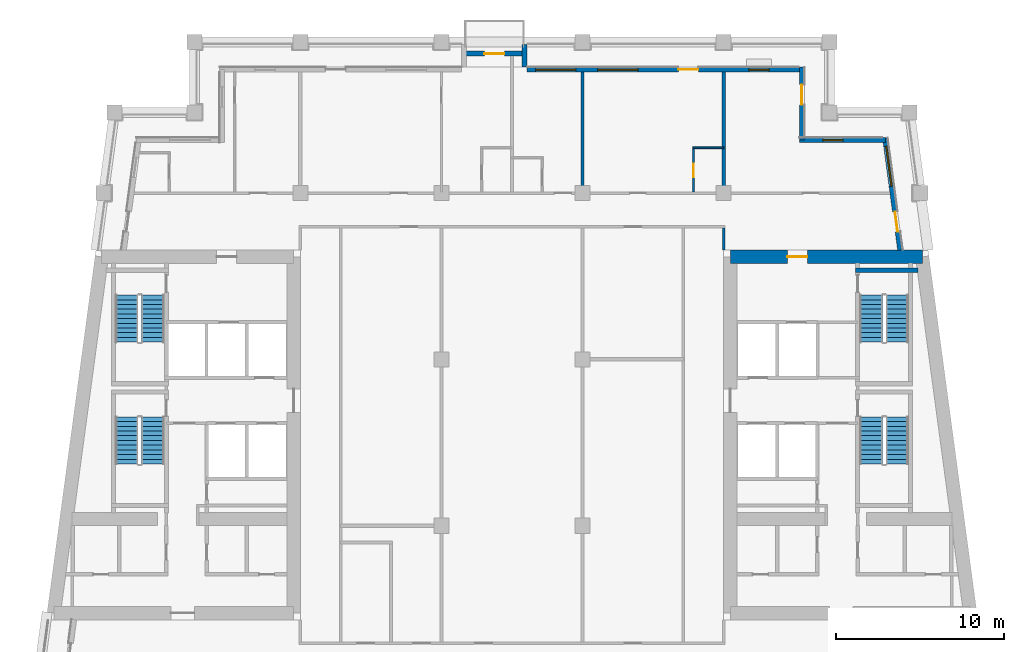
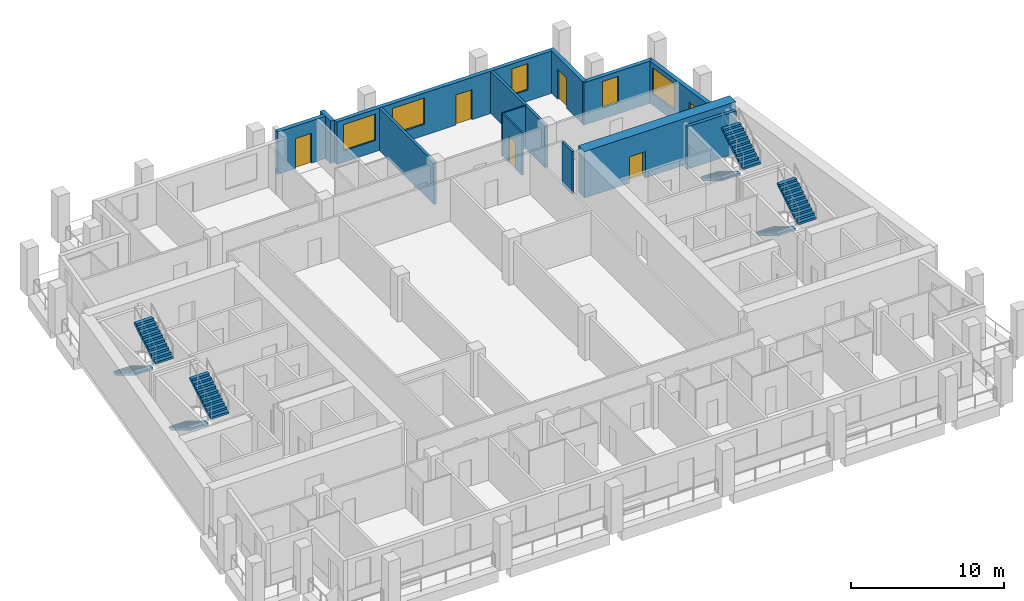
# One storey, part 7 of 12: 13 walls, 8 stair flights, 6 doors, 5 windows, 11 openings, 4 elements without a shape of their own.
"""IFC4 building model written with IfcOpenShell, lengths in metres."""

from ifc_helpers import new_model, si_unit, direction, frame, frame_2d, origin, place, context, subcontext, project, spatial, polyline, rectangle, outline, extrude, material, layer, layer_set, type_object, element, fill, aggregate, save


model = new_model("IFC4")

# Units and contexts
model_context = context("Model", 3, precision=1e-05, world=origin(), true_north=direction((0.0, 1.0)))
body_context = subcontext(model_context, "Body", "Model", "MODEL_VIEW")
ifc_project = project(units=[si_unit("LENGTHUNIT", "METRE"), si_unit("AREAUNIT", "SQUARE_METRE"), si_unit("VOLUMEUNIT", "CUBIC_METRE"), si_unit("PLANEANGLEUNIT", "RADIAN"), si_unit("MASSUNIT", "GRAM", prefix="KILO")], contexts=[model_context])

# Site, building, storey
site_placement = place(None, origin())
site = spatial("IfcSite", under=ifc_project, at=site_placement, CompositionType="ELEMENT")
building_placement = place(site_placement, origin())
building = spatial("IfcBuilding", under=site, at=building_placement, Name="Candeia Pilgrim Tower and Theatre", CompositionType="ELEMENT")
storey_placement = place(building_placement, frame((0.0, 0.0, 224.39990234375)))
storey = spatial("IfcBuildingStorey", under=building, at=storey_placement, Name="L54", CompositionType="ELEMENT", Elevation=224.39990234375)

# Wall, opening, door
ifc_material_1 = material(Name="Concrete C50/60", Category="concrete")
ifc_layer_1 = layer(ifc_material_1, 0.800048828125)
ifc_layer_set_1 = layer_set([ifc_layer_1], Name="Core wall 800 C50/60")
wall_type_1 = type_object("IfcWallType", Name="Core wall 800 C50/60", PredefinedType="SHEAR", material=ifc_layer_set_1)
wall_1_placement = place(storey_placement, frame((126.39990234375, 132.0, 0.0), z_axis=(0.0, 0.0, 1.0), x_axis=(1.0, 0.0, 0.0)))
wall_1 = element("IfcWall", 1, at=wall_1_placement, inside=storey, type_object=wall_type_1, Name="Core wall E1", PredefinedType="SHEAR", context=body_context, shape_type="SweptSolid", body=[
    extrude(rectangle(XDim=11.419677734375, YDim=0.800048828125, at=frame_2d((5.7099609375, 0.0))), origin(), (0.0, 0.0, 1.0), 3.7001953125),
])
opening_1_placement = place(wall_1_placement, frame((3.386474609375, 0.0, 0.0)))
opening_1 = element("IfcOpeningElement", 2, at=opening_1_placement, cuts=wall_1, Name="Opening L54-D058", PredefinedType="OPENING", context=body_context, shape_type="SweptSolid", body=[
    extrude(rectangle(XDim=1.199951171875, YDim=2.10009765625, at=frame_2d((0.60009765625, 1.050048828125))), frame((0.0, 0.41015625, 0.0), z_axis=(0.0, -1.0, 0.0), x_axis=(1.0, 0.0, 0.0)), (0.0, 0.0, 1.0), 0.820068359375),
])
ifc_material_2 = material(Name="Steel fire door set", Category="steel")
door_type_1 = type_object("IfcDoorType", Name="D-1200-FD60", OperationType="NOTDEFINED", PredefinedType="DOOR", material=ifc_material_2)
door_1_placement = place(opening_1_placement, origin())
door_1 = element("IfcDoor", 3, at=door_1_placement, inside=storey, type_object=door_type_1, Name="Door L54-D058", OperationType="SINGLE_SWING_RIGHT", OverallHeight=2.10009765625, OverallWidth=1.199951171875, PredefinedType="DOOR", context=body_context, shape_type="SweptSolid", body=[
    extrude(rectangle(XDim=1.199951171875, YDim=2.10009765625, at=frame_2d((0.60009765625, 1.050048828125))), frame((0.0, 0.02490234375, 0.0), z_axis=(0.0, -1.0, 0.0), x_axis=(1.0, 0.0, 0.0)), (0.0, 0.0, 1.0), 0.050048828125),
])
fill(opening_1, door_1)

# Wall, openings, door, window
ifc_material_3 = material(Name="Ceramic block masonry", Category="masonry")
ifc_layer_2 = layer(ifc_material_3, 0.300048828125)
ifc_layer_set_2 = layer_set([ifc_layer_2], Name="EW1 glazing-line wall 300")
wall_type_2 = type_object("IfcWallType", Name="EW1 glazing-line wall 300", PredefinedType="SOLIDWALL", material=ifc_layer_set_2)
wall_2_placement = place(storey_placement, frame((136.50439453125, 132.39990234375, 0.0), z_axis=(0.0, 0.0, 1.0), x_axis=(-0.133399697462, 0.99106231929, 0.0)))
wall_2 = element("IfcWall", 4, at=wall_2_placement, inside=storey, type_object=wall_type_2, Name="External wall L54-3.1", PredefinedType="SOLIDWALL", context=body_context, shape_type="SweptSolid", body=[
    extrude(rectangle(XDim=6.740478515625, YDim=0.300048828125, at=frame_2d((3.3701171875, 0.0))), origin(), (0.0, 0.0, 1.0), 3.380126953125),
])
opening_2_placement = place(wall_2_placement, frame((1.115234375, 0.0, 0.0)))
opening_2 = element("IfcOpeningElement", 5, at=opening_2_placement, cuts=wall_2, Name="Opening L54-ED517", PredefinedType="OPENING", context=body_context, shape_type="SweptSolid", body=[
    extrude(rectangle(XDim=1.199951171875, YDim=2.39990234375, at=frame_2d((0.60009765625, 1.199951171875))), frame((0.0, 0.16015625, 0.0), z_axis=(0.0, -1.0, 0.0), x_axis=(1.0, 0.0, 0.0)), (0.0, 0.0, 1.0), 0.320068359375),
])
opening_3_placement = place(wall_2_placement, frame((3.83544921875, 0.0, 0.89990234375)))
opening_3 = element("IfcOpeningElement", 6, at=opening_3_placement, cuts=wall_2, Name="Opening W-A", PredefinedType="OPENING", context=body_context, shape_type="SweptSolid", body=[
    extrude(rectangle(XDim=2.39990234375, YDim=2.10009765625, at=frame_2d((1.199951171875, 1.050048828125))), frame((0.0, 0.16015625, 0.0), z_axis=(0.0, -1.0, 0.0), x_axis=(1.0, 0.0, 0.0)), (0.0, 0.0, 1.0), 0.320068359375),
])
ifc_material_4 = material(Name="Aluminium framed glazed door", Category="aluminium")
door_type_2 = type_object("IfcDoorType", Name="Loggia door 1200x2400", OperationType="DOUBLE_DOOR_SINGLE_SWING", PredefinedType="DOOR", material=ifc_material_4)
door_2_placement = place(opening_2_placement, origin())
door_2 = element("IfcDoor", 7, at=door_2_placement, inside=storey, type_object=door_type_2, Name="Loggia door L54-ED517", OperationType="DOUBLE_DOOR_SINGLE_SWING", OverallHeight=2.39990234375, OverallWidth=1.199951171875, PredefinedType="DOOR", context=body_context, shape_type="SweptSolid", body=[
    extrude(rectangle(XDim=1.199951171875, YDim=2.39990234375, at=frame_2d((0.60009765625, 1.199951171875))), frame((0.0, 0.02490234375, 0.0), z_axis=(0.0, -1.0, 0.0), x_axis=(1.0, 0.0, 0.0)), (0.0, 0.0, 1.0), 0.050048828125),
])
fill(opening_2, door_2)
ifc_material_5 = material(Name="Aluminium framed double glazing", Category="aluminium")
window_type_1 = type_object("IfcWindowType", Name="W-A window 2400x2100", PartitioningType="DOUBLE_PANEL_VERTICAL", PredefinedType="WINDOW", material=ifc_material_5)
window_1_placement = place(opening_3_placement, origin())
window_1 = element("IfcWindow", 8, at=window_1_placement, inside=storey, type_object=window_type_1, Name="Window W-A L54", OverallHeight=2.10009765625, OverallWidth=2.39990234375, PartitioningType="SINGLE_PANEL", PredefinedType="WINDOW", context=body_context, shape_type="SweptSolid", body=[
    extrude(rectangle(XDim=2.39990234375, YDim=2.10009765625, at=frame_2d((1.199951171875, 1.050048828125))), frame((0.0, 0.030029296875, 0.0), z_axis=(0.0, -1.0, 0.0), x_axis=(1.0, 0.0, 0.0)), (0.0, 0.0, 1.0), 0.06005859375),
])
fill(opening_3, window_1)

# Wall, opening, window
wall_3_placement = place(storey_placement, frame((135.62255859375, 138.949951171875, 0.0), z_axis=(0.0, 0.0, 1.0), x_axis=(-1.0, 0.0, 0.0)))
wall_3 = element("IfcWall", 9, at=wall_3_placement, inside=storey, type_object=wall_type_2, Name="External wall L54-4.0", PredefinedType="SOLIDWALL", context=body_context, shape_type="SweptSolid", body=[
    extrude(rectangle(XDim=5.12255859375, YDim=0.300048828125, at=frame_2d((2.561279296875, 0.0))), origin(), (0.0, 0.0, 1.0), 3.380126953125),
])
opening_4_placement = place(wall_3_placement, frame((2.522705078125, 0.0, 0.89990234375)))
opening_4 = element("IfcOpeningElement", 10, at=opening_4_placement, cuts=wall_3, Name="Opening W-B", PredefinedType="OPENING", context=body_context, shape_type="SweptSolid", body=[
    extrude(rectangle(XDim=1.199951171875, YDim=2.10009765625, at=frame_2d((0.60009765625, 1.050048828125))), frame((0.0, 0.16015625, 0.0), z_axis=(0.0, -1.0, 0.0), x_axis=(1.0, 0.0, 0.0)), (0.0, 0.0, 1.0), 0.320068359375),
])
window_type_2 = type_object("IfcWindowType", Name="W-B window 1200x2100", PartitioningType="SINGLE_PANEL", PredefinedType="WINDOW", material=ifc_material_5)
window_2_placement = place(opening_4_placement, origin())
window_2 = element("IfcWindow", 11, at=window_2_placement, inside=storey, type_object=window_type_2, Name="Window W-B L54", OverallHeight=2.10009765625, OverallWidth=1.199951171875, PartitioningType="SINGLE_PANEL", PredefinedType="WINDOW", context=body_context, shape_type="SweptSolid", body=[
    extrude(rectangle(XDim=1.199951171875, YDim=2.10009765625, at=frame_2d((0.60009765625, 1.050048828125))), frame((0.0, 0.030029296875, 0.0), z_axis=(0.0, -1.0, 0.0), x_axis=(1.0, 0.0, 0.0)), (0.0, 0.0, 1.0), 0.06005859375),
])
fill(opening_4, window_2)

# Wall, opening, door
wall_4_placement = place(storey_placement, frame((130.64990234375, 138.949951171875, 0.0), z_axis=(0.0, 0.0, 1.0), x_axis=(0.0, 1.0, 0.0)))
wall_4 = element("IfcWall", 12, at=wall_4_placement, inside=storey, type_object=wall_type_2, Name="External wall L54-5.0", PredefinedType="SOLIDWALL", context=body_context, shape_type="SweptSolid", body=[
    extrude(rectangle(XDim=4.35009765625, YDim=0.300048828125, at=frame_2d((2.175048828125, 0.0))), origin(), (0.0, 0.0, 1.0), 3.380126953125),
])
opening_5_placement = place(wall_4_placement, frame((2.10009765625, 0.0, 0.0)))
opening_5 = element("IfcOpeningElement", 13, at=opening_5_placement, cuts=wall_4, Name="Opening L54-ED518", PredefinedType="OPENING", context=body_context, shape_type="SweptSolid", body=[
    extrude(rectangle(XDim=1.199951171875, YDim=2.39990234375, at=frame_2d((0.60009765625, 1.199951171875))), frame((0.0, 0.16015625, 0.0), z_axis=(0.0, -1.0, 0.0), x_axis=(1.0, 0.0, 0.0)), (0.0, 0.0, 1.0), 0.320068359375),
])
door_3_placement = place(opening_5_placement, origin())
door_3 = element("IfcDoor", 14, at=door_3_placement, inside=storey, type_object=door_type_2, Name="Loggia door L54-ED518", OperationType="DOUBLE_DOOR_SINGLE_SWING", OverallHeight=2.39990234375, OverallWidth=1.199951171875, PredefinedType="DOOR", context=body_context, shape_type="SweptSolid", body=[
    extrude(rectangle(XDim=1.199951171875, YDim=2.39990234375, at=frame_2d((0.60009765625, 1.199951171875))), frame((0.0, 0.02490234375, 0.0), z_axis=(0.0, -1.0, 0.0), x_axis=(1.0, 0.0, 0.0)), (0.0, 0.0, 1.0), 0.050048828125),
])
fill(opening_5, door_3)

# Wall, openings, door, windows
wall_5_placement = place(storey_placement, frame((130.64990234375, 143.14990234375, 0.0), z_axis=(0.0, 0.0, 1.0), x_axis=(-1.0, 0.0, 0.0)))
wall_5 = element("IfcWall", 15, at=wall_5_placement, inside=storey, type_object=wall_type_2, Name="External wall L54-6.0", PredefinedType="SOLIDWALL", context=body_context, shape_type="SweptSolid", body=[
    extrude(rectangle(XDim=16.349853515625, YDim=0.300048828125, at=frame_2d((8.1748046875, 0.0))), origin(), (0.0, 0.0, 1.0), 3.380126953125),
])
opening_6_placement = place(wall_5_placement, frame((1.949951171875, 0.0, 0.89990234375)))
opening_6 = element("IfcOpeningElement", 16, at=opening_6_placement, cuts=wall_5, Name="Opening W-B", PredefinedType="OPENING", context=body_context, shape_type="SweptSolid", body=[
    extrude(rectangle(XDim=1.199951171875, YDim=2.10009765625, at=frame_2d((0.60009765625, 1.050048828125))), frame((0.0, 0.16015625, 0.0), z_axis=(0.0, -1.0, 0.0), x_axis=(1.0, 0.0, 0.0)), (0.0, 0.0, 1.0), 0.320068359375),
])
opening_7_placement = place(wall_5_placement, frame((6.14990234375, 0.0, 0.0)))
opening_7 = element("IfcOpeningElement", 17, at=opening_7_placement, cuts=wall_5, Name="Opening L54-ED519", PredefinedType="OPENING", context=body_context, shape_type="SweptSolid", body=[
    extrude(rectangle(XDim=1.199951171875, YDim=2.39990234375, at=frame_2d((0.60009765625, 1.199951171875))), frame((0.0, 0.16015625, 0.0), z_axis=(0.0, -1.0, 0.0), x_axis=(1.0, 0.0, 0.0)), (0.0, 0.0, 1.0), 0.320068359375),
])
opening_8_placement = place(wall_5_placement, frame((9.75, 0.0, 0.89990234375)))
opening_8 = element("IfcOpeningElement", 18, at=opening_8_placement, cuts=wall_5, Name="Opening W-A", PredefinedType="OPENING", context=body_context, shape_type="SweptSolid", body=[
    extrude(rectangle(XDim=2.39990234375, YDim=2.10009765625, at=frame_2d((1.199951171875, 1.050048828125))), frame((0.0, 0.16015625, 0.0), z_axis=(0.0, -1.0, 0.0), x_axis=(1.0, 0.0, 0.0)), (0.0, 0.0, 1.0), 0.320068359375),
])
opening_9_placement = place(wall_5_placement, frame((13.449951171875, 0.0, 0.89990234375)))
opening_9 = element("IfcOpeningElement", 19, at=opening_9_placement, cuts=wall_5, Name="Opening W-A", PredefinedType="OPENING", context=body_context, shape_type="SweptSolid", body=[
    extrude(rectangle(XDim=2.39990234375, YDim=2.10009765625, at=frame_2d((1.199951171875, 1.050048828125))), frame((0.0, 0.16015625, 0.0), z_axis=(0.0, -1.0, 0.0), x_axis=(1.0, 0.0, 0.0)), (0.0, 0.0, 1.0), 0.320068359375),
])
door_4_placement = place(opening_7_placement, origin())
door_4 = element("IfcDoor", 20, at=door_4_placement, inside=storey, type_object=door_type_2, Name="Loggia door L54-ED519", OperationType="DOUBLE_DOOR_SINGLE_SWING", OverallHeight=2.39990234375, OverallWidth=1.199951171875, PredefinedType="DOOR", context=body_context, shape_type="SweptSolid", body=[
    extrude(rectangle(XDim=1.199951171875, YDim=2.39990234375, at=frame_2d((0.60009765625, 1.199951171875))), frame((0.0, 0.02490234375, 0.0), z_axis=(0.0, -1.0, 0.0), x_axis=(1.0, 0.0, 0.0)), (0.0, 0.0, 1.0), 0.050048828125),
])
fill(opening_7, door_4)
window_3_placement = place(opening_8_placement, origin())
window_3 = element("IfcWindow", 21, at=window_3_placement, inside=storey, type_object=window_type_1, Name="Window W-A L54", OverallHeight=2.10009765625, OverallWidth=2.39990234375, PartitioningType="SINGLE_PANEL", PredefinedType="WINDOW", context=body_context, shape_type="SweptSolid", body=[
    extrude(rectangle(XDim=2.39990234375, YDim=2.10009765625, at=frame_2d((1.199951171875, 1.050048828125))), frame((0.0, 0.030029296875, 0.0), z_axis=(0.0, -1.0, 0.0), x_axis=(1.0, 0.0, 0.0)), (0.0, 0.0, 1.0), 0.06005859375),
])
fill(opening_8, window_3)
window_4_placement = place(opening_9_placement, origin())
window_4 = element("IfcWindow", 22, at=window_4_placement, inside=storey, type_object=window_type_1, Name="Window W-A L54", OverallHeight=2.10009765625, OverallWidth=2.39990234375, PartitioningType="SINGLE_PANEL", PredefinedType="WINDOW", context=body_context, shape_type="SweptSolid", body=[
    extrude(rectangle(XDim=2.39990234375, YDim=2.10009765625, at=frame_2d((1.199951171875, 1.050048828125))), frame((0.0, 0.030029296875, 0.0), z_axis=(0.0, -1.0, 0.0), x_axis=(1.0, 0.0, 0.0)), (0.0, 0.0, 1.0), 0.06005859375),
])
fill(opening_9, window_4)
window_5_placement = place(opening_6_placement, origin())
window_5 = element("IfcWindow", 23, at=window_5_placement, inside=storey, type_object=window_type_2, Name="Window W-B L54", OverallHeight=2.10009765625, OverallWidth=1.199951171875, PartitioningType="SINGLE_PANEL", PredefinedType="WINDOW", context=body_context, shape_type="SweptSolid", body=[
    extrude(rectangle(XDim=1.199951171875, YDim=2.10009765625, at=frame_2d((0.60009765625, 1.050048828125))), frame((0.0, 0.030029296875, 0.0), z_axis=(0.0, -1.0, 0.0), x_axis=(1.0, 0.0, 0.0)), (0.0, 0.0, 1.0), 0.06005859375),
])
fill(opening_6, window_5)

# Wall
ifc_layer_3 = layer(ifc_material_3, 0.300048828125)
ifc_layer_set_3 = layer_set([ifc_layer_3], Name="EW2 entrance infill wall 300")
wall_type_3 = type_object("IfcWallType", Name="EW2 entrance infill wall 300", PredefinedType="SOLIDWALL", material=ifc_layer_set_3)
wall_6_placement = place(storey_placement, frame((114.14990234375, 143.300048828125, 0.0), z_axis=(0.0, 0.0, 1.0), x_axis=(0.0, 1.0, 0.0)))
element("IfcWall", 24, at=wall_6_placement, inside=storey, type_object=wall_type_3, Name="Alcove wall L54", PredefinedType="SOLIDWALL", context=body_context, shape_type="SweptSolid", body=[
    extrude(rectangle(XDim=1.349853515625, YDim=0.300048828125, at=frame_2d((0.6748046875, 0.0))), origin(), (0.0, 0.0, 1.0), 3.380126953125),
])

# Wall, opening, door
wall_7_placement = place(storey_placement, frame((114.300048828125, 144.10009765625, 0.0), z_axis=(0.0, 0.0, 1.0), x_axis=(-1.0, 0.0, 0.0)))
wall_7 = element("IfcWall", 25, at=wall_7_placement, inside=storey, type_object=wall_type_3, Name="Alcove wall L54", PredefinedType="SOLIDWALL", context=body_context, shape_type="SweptSolid", body=[
    extrude(rectangle(XDim=3.900146484375, YDim=0.300048828125, at=frame_2d((1.9501953125, 0.0))), origin(), (0.0, 0.0, 1.0), 3.380126953125),
])
opening_10_placement = place(wall_7_placement, frame((1.35009765625, 0.0, 0.0)))
opening_10 = element("IfcOpeningElement", 26, at=opening_10_placement, cuts=wall_7, Name="Opening L54-ED521", PredefinedType="OPENING", context=body_context, shape_type="SweptSolid", body=[
    extrude(rectangle(XDim=1.199951171875, YDim=2.39990234375, at=frame_2d((0.60009765625, 1.199951171875))), frame((0.0, 0.16015625, 0.0), z_axis=(0.0, -1.0, 0.0), x_axis=(1.0, 0.0, 0.0)), (0.0, 0.0, 1.0), 0.320068359375),
])
door_5_placement = place(opening_10_placement, origin())
door_5 = element("IfcDoor", 27, at=door_5_placement, inside=storey, type_object=door_type_2, Name="Balcony door L54-ED521", OperationType="DOUBLE_DOOR_SINGLE_SWING", OverallHeight=2.39990234375, OverallWidth=1.199951171875, PredefinedType="DOOR", context=body_context, shape_type="SweptSolid", body=[
    extrude(rectangle(XDim=1.199951171875, YDim=2.39990234375, at=frame_2d((0.60009765625, 1.199951171875))), frame((0.0, 0.02490234375, 0.0), z_axis=(0.0, -1.0, 0.0), x_axis=(1.0, 0.0, 0.0)), (0.0, 0.0, 1.0), 0.050048828125),
])
fill(opening_10, door_5)

# Wall
ifc_material_6 = material(Name="Gypsum board partition on steel studs", Category="steel")
ifc_layer_4 = layer(ifc_material_6, 0.10009765625)
ifc_layer_set_4 = layer_set([ifc_layer_4], Name="PW-100 room partition")
wall_type_4 = type_object("IfcWallType", Name="PW-100 room partition", PredefinedType="PARTITIONING", material=ifc_layer_set_4)
wall_8_placement = place(storey_placement, frame((124.14990234375, 138.5, 0.0), z_axis=(0.0, 0.0, 1.0), x_axis=(1.0, 0.0, 0.0)))
element("IfcWall", 28, at=wall_8_placement, inside=storey, type_object=wall_type_4, Name="Room partition L54-048", PredefinedType="PARTITIONING", context=body_context, shape_type="SweptSolid", body=[
    extrude(rectangle(XDim=1.85009765625, YDim=0.10009765625, at=frame_2d((0.925048828125, 0.0))), origin(), (0.0, 0.0, 1.0), 3.380126953125),
])

# Wall, opening, door
wall_9_placement = place(storey_placement, frame((124.199951171875, 135.875, 0.0), z_axis=(0.0, 0.0, 1.0), x_axis=(0.0, 1.0, 0.0)))
wall_9 = element("IfcWall", 29, at=wall_9_placement, inside=storey, type_object=wall_type_4, Name="Room partition L54-094", PredefinedType="PARTITIONING", context=body_context, shape_type="SweptSolid", body=[
    extrude(rectangle(XDim=2.574951171875, YDim=0.10009765625, at=frame_2d((1.28759765625, 0.0))), origin(), (0.0, 0.0, 1.0), 3.380126953125),
])
opening_11_placement = place(wall_9_placement, frame((0.875, 0.0, 0.0)))
opening_11 = element("IfcOpeningElement", 30, at=opening_11_placement, cuts=wall_9, Name="Opening L54-D046", PredefinedType="OPENING", context=body_context, shape_type="SweptSolid", body=[
    extrude(rectangle(XDim=0.800048828125, YDim=2.10009765625, at=frame_2d((0.39990234375, 1.050048828125))), frame((0.0, 0.06005859375, 0.0), z_axis=(0.0, -1.0, 0.0), x_axis=(1.0, 0.0, 0.0)), (0.0, 0.0, 1.0), 0.1201171875),
])
ifc_material_7 = material(Name="Timber door leaf", Category="wood")
door_type_3 = type_object("IfcDoorType", Name="D-800", OperationType="NOTDEFINED", PredefinedType="DOOR", material=ifc_material_7)
door_6_placement = place(opening_11_placement, origin())
door_6 = element("IfcDoor", 31, at=door_6_placement, inside=storey, type_object=door_type_3, Name="Door L54-D046", OperationType="SINGLE_SWING_RIGHT", OverallHeight=2.10009765625, OverallWidth=0.800048828125, PredefinedType="DOOR", context=body_context, shape_type="SweptSolid", body=[
    extrude(rectangle(XDim=0.800048828125, YDim=2.10009765625, at=frame_2d((0.39990234375, 1.050048828125))), frame((0.0, 0.02490234375, 0.0), z_axis=(0.0, -1.0, 0.0), x_axis=(1.0, 0.0, 0.0)), (0.0, 0.0, 1.0), 0.050048828125),
])
fill(opening_11, door_6)

# Walls
ifc_layer_5 = layer(ifc_material_6, 0.14990234375)
ifc_layer_set_5 = layer_set([ifc_layer_5], Name="PW-150 unit wall")
wall_type_5 = type_object("IfcWallType", Name="PW-150 unit wall", PredefinedType="PARTITIONING", material=ifc_layer_set_5)
wall_10_placement = place(storey_placement, frame((126.0, 132.39990234375, 0.0), z_axis=(0.0, 0.0, 1.0), x_axis=(0.0, 1.0, 0.0)))
element("IfcWall", 32, at=wall_10_placement, inside=storey, type_object=wall_type_5, Name="Unit wall L54-098", PredefinedType="PARTITIONING", context=body_context, shape_type="SweptSolid", body=[
    extrude(rectangle(XDim=1.3251953125, YDim=0.14990234375, at=frame_2d((0.66259765625, 0.0))), origin(), (0.0, 0.0, 1.0), 3.380126953125),
])
ifc_layer_6 = layer(ifc_material_6, 0.199951171875)
ifc_layer_set_6 = layer_set([ifc_layer_6], Name="PW-200 party wall")
wall_type_6 = type_object("IfcWallType", Name="PW-200 party wall", PredefinedType="PARTITIONING", material=ifc_layer_set_6)
for number, where, z_axis, x_axis, name in (
    (33, (117.60009765625, 135.875, 0.0), (0.0, 0.0, 1.0), (0.0, 1.0, 0.0), "Party wall L54-089"),
    (34, (126.0, 135.875, 0.0), (0.0, 0.0, 1.0), (0.0, 1.0, 0.0), "Party wall L54-096"),
):
    element("IfcWall", number, at=place(storey_placement, frame(where, z_axis=z_axis, x_axis=x_axis)), inside=storey, type_object=wall_type_6, Name=name, PredefinedType="PARTITIONING", context=body_context, shape_type="SweptSolid", body=[
        extrude(rectangle(XDim=7.135009765625, YDim=0.199951171875, at=frame_2d((3.5673828125, 0.0))), origin(), (0.0, 0.0, 1.0), 3.380126953125),
    ])
ifc_material_8 = material(Name="Concrete C40/50", Category="concrete")
ifc_layer_7 = layer(ifc_material_8, 0.25)
ifc_layer_set_7 = layer_set([ifc_layer_7], Name="SW-250 stair wall")
wall_type_7 = type_object("IfcWallType", Name="SW-250 stair wall", PredefinedType="PARTITIONING", material=ifc_layer_set_7)
wall_11_placement = place(storey_placement, frame((133.847900390625, 131.199951171875, 0.0), z_axis=(0.0, 0.0, 1.0), x_axis=(1.0, 0.0, 0.0)))
element("IfcWall", 35, at=wall_11_placement, inside=storey, type_object=wall_type_7, Name="Stair wall L54-042", PredefinedType="PARTITIONING", context=body_context, shape_type="SweptSolid", body=[
    extrude(rectangle(XDim=3.705810546875, YDim=0.25, at=frame_2d((1.85302734375, 0.0))), origin(), (0.0, 0.0, 1.0), 3.380126953125),
])

# Stair, stair flights
stair_type = type_object("IfcStairType", Name="ST-TWR dog-leg escape stair", PredefinedType="HALF_TURN_STAIR", material=ifc_material_8)
stair_1_placement = place(storey_placement, origin())
stair_1 = element("IfcStair", 36, at=stair_1_placement, inside=storey, type_object=stair_type, Name="L54 Escape stair ST1", PredefinedType="HALF_TURN_STAIR")
stair_flight_type = type_object("IfcStairFlightType", Name="SFL-RC stair flight", PredefinedType="STRAIGHT", material=ifc_material_8)
stair_flight_1_placement = place(storey_placement, frame((90.47705078125, 122.47509765625, 0.0), z_axis=(0.0, 0.0, 1.0), x_axis=(0.0, -1.0, 0.0)))
stair_flight_1 = element("IfcStairFlight", 37, at=stair_flight_1_placement, type_object=stair_flight_type, Name="ST1 flight 1", NumberOfRisers=11, NumberOfTreads=10, PredefinedType="STRAIGHT", RiserHeight=0.168181818, TreadLength=0.28, context=body_context, shape_type="SweptSolid", body=[
    extrude(outline(polyline([(0.0, 0.0), (0.0, 0.168212890625), (0.280029296875, 0.168212890625), (0.280029296875, 0.33642578125), (0.56005859375, 0.33642578125), (0.56005859375, 0.504638671875), (0.840087890625, 0.504638671875), (0.840087890625, 0.672607421875), (1.1201171875, 0.672607421875), (1.1201171875, 0.8408203125), (1.39990234375, 0.8408203125), (1.39990234375, 1.009033203125), (1.679931640625, 1.009033203125), (1.679931640625, 1.17724609375), (1.9599609375, 1.17724609375), (1.9599609375, 1.345458984375), (2.239990234375, 1.345458984375), (2.239990234375, 1.513671875), (2.52001953125, 1.513671875), (2.52001953125, 1.681884765625), (2.800048828125, 1.681884765625), (2.800048828125, 1.85009765625), (2.800048828125, 1.5068359375), (0.291015625, 0.0), (0.0, 0.0)])), frame((0.0, 0.675048828125, 0.0), z_axis=(0.0, -1.0, 0.0), x_axis=(1.0, 0.0, 0.0)), (0.0, 0.0, 1.0), 1.35009765625),
])
stair_flight_2_placement = place(storey_placement, frame((92.027099609375, 119.675048828125, 1.85009765625), z_axis=(0.0, 0.0, 1.0), x_axis=(0.0, 1.0, 0.0)))
stair_flight_2 = element("IfcStairFlight", 38, at=stair_flight_2_placement, type_object=stair_flight_type, Name="ST1 flight 2", NumberOfRisers=11, NumberOfTreads=10, PredefinedType="STRAIGHT", RiserHeight=0.168181818, TreadLength=0.28, context=body_context, shape_type="SweptSolid", body=[
    extrude(outline(polyline([(0.0, 0.0), (0.0, 0.168212890625), (0.280029296875, 0.168212890625), (0.280029296875, 0.33642578125), (0.56005859375, 0.33642578125), (0.56005859375, 0.504638671875), (0.840087890625, 0.504638671875), (0.840087890625, 0.672607421875), (1.1201171875, 0.672607421875), (1.1201171875, 0.8408203125), (1.39990234375, 0.8408203125), (1.39990234375, 1.009033203125), (1.679931640625, 1.009033203125), (1.679931640625, 1.17724609375), (1.9599609375, 1.17724609375), (1.9599609375, 1.345458984375), (2.239990234375, 1.345458984375), (2.239990234375, 1.513671875), (2.52001953125, 1.513671875), (2.52001953125, 1.681884765625), (2.800048828125, 1.681884765625), (2.800048828125, 1.85009765625), (2.800048828125, 1.5068359375), (0.291015625, 0.0), (0.0, 0.0)])), frame((0.0, 0.675048828125, 0.0), z_axis=(0.0, -1.0, 0.0), x_axis=(1.0, 0.0, 0.0)), (0.0, 0.0, 1.0), 1.35009765625),
])
aggregate(stair_1, [stair_flight_1, stair_flight_2])

stair_2_placement = place(storey_placement, origin())
stair_2 = element("IfcStair", 39, at=stair_2_placement, inside=storey, type_object=stair_type, Name="L54 Escape stair ST2", PredefinedType="HALF_TURN_STAIR")
stair_flight_3_placement = place(storey_placement, frame((90.47705078125, 129.72509765625, 0.0), z_axis=(0.0, 0.0, 1.0), x_axis=(0.0, -1.0, 0.0)))
stair_flight_3 = element("IfcStairFlight", 40, at=stair_flight_3_placement, type_object=stair_flight_type, Name="ST2 flight 1", NumberOfRisers=11, NumberOfTreads=10, PredefinedType="STRAIGHT", RiserHeight=0.168181818, TreadLength=0.28, context=body_context, shape_type="SweptSolid", body=[
    extrude(outline(polyline([(0.0, 0.0), (0.0, 0.168212890625), (0.280029296875, 0.168212890625), (0.280029296875, 0.33642578125), (0.56005859375, 0.33642578125), (0.56005859375, 0.504638671875), (0.840087890625, 0.504638671875), (0.840087890625, 0.672607421875), (1.1201171875, 0.672607421875), (1.1201171875, 0.8408203125), (1.39990234375, 0.8408203125), (1.39990234375, 1.009033203125), (1.679931640625, 1.009033203125), (1.679931640625, 1.17724609375), (1.9599609375, 1.17724609375), (1.9599609375, 1.345458984375), (2.239990234375, 1.345458984375), (2.239990234375, 1.513671875), (2.52001953125, 1.513671875), (2.52001953125, 1.681884765625), (2.800048828125, 1.681884765625), (2.800048828125, 1.85009765625), (2.800048828125, 1.5068359375), (0.291015625, 0.0), (0.0, 0.0)])), frame((0.0, 0.675048828125, 0.0), z_axis=(0.0, -1.0, 0.0), x_axis=(1.0, 0.0, 0.0)), (0.0, 0.0, 1.0), 1.35009765625),
])
stair_flight_4_placement = place(storey_placement, frame((92.027099609375, 126.925048828125, 1.85009765625), z_axis=(0.0, 0.0, 1.0), x_axis=(0.0, 1.0, 0.0)))
stair_flight_4 = element("IfcStairFlight", 41, at=stair_flight_4_placement, type_object=stair_flight_type, Name="ST2 flight 2", NumberOfRisers=11, NumberOfTreads=10, PredefinedType="STRAIGHT", RiserHeight=0.168181818, TreadLength=0.28, context=body_context, shape_type="SweptSolid", body=[
    extrude(outline(polyline([(0.0, 0.0), (0.0, 0.168212890625), (0.280029296875, 0.168212890625), (0.280029296875, 0.33642578125), (0.56005859375, 0.33642578125), (0.56005859375, 0.504638671875), (0.840087890625, 0.504638671875), (0.840087890625, 0.672607421875), (1.1201171875, 0.672607421875), (1.1201171875, 0.8408203125), (1.39990234375, 0.8408203125), (1.39990234375, 1.009033203125), (1.679931640625, 1.009033203125), (1.679931640625, 1.17724609375), (1.9599609375, 1.17724609375), (1.9599609375, 1.345458984375), (2.239990234375, 1.345458984375), (2.239990234375, 1.513671875), (2.52001953125, 1.513671875), (2.52001953125, 1.681884765625), (2.800048828125, 1.681884765625), (2.800048828125, 1.85009765625), (2.800048828125, 1.5068359375), (0.291015625, 0.0), (0.0, 0.0)])), frame((0.0, 0.675048828125, 0.0), z_axis=(0.0, -1.0, 0.0), x_axis=(1.0, 0.0, 0.0)), (0.0, 0.0, 1.0), 1.35009765625),
])
aggregate(stair_2, [stair_flight_3, stair_flight_4])

stair_3_placement = place(storey_placement, origin())
stair_3 = element("IfcStair", 42, at=stair_3_placement, inside=storey, type_object=stair_type, Name="L54 Escape stair ST3", PredefinedType="HALF_TURN_STAIR")
stair_flight_5_placement = place(storey_placement, frame((134.77294921875, 122.47509765625, 0.0), z_axis=(0.0, 0.0, 1.0), x_axis=(0.0, -1.0, 0.0)))
stair_flight_5 = element("IfcStairFlight", 43, at=stair_flight_5_placement, type_object=stair_flight_type, Name="ST3 flight 1", NumberOfRisers=11, NumberOfTreads=10, PredefinedType="STRAIGHT", RiserHeight=0.168181818, TreadLength=0.28, context=body_context, shape_type="SweptSolid", body=[
    extrude(outline(polyline([(0.0, 0.0), (0.0, 0.168212890625), (0.280029296875, 0.168212890625), (0.280029296875, 0.33642578125), (0.56005859375, 0.33642578125), (0.56005859375, 0.504638671875), (0.840087890625, 0.504638671875), (0.840087890625, 0.672607421875), (1.1201171875, 0.672607421875), (1.1201171875, 0.8408203125), (1.39990234375, 0.8408203125), (1.39990234375, 1.009033203125), (1.679931640625, 1.009033203125), (1.679931640625, 1.17724609375), (1.9599609375, 1.17724609375), (1.9599609375, 1.345458984375), (2.239990234375, 1.345458984375), (2.239990234375, 1.513671875), (2.52001953125, 1.513671875), (2.52001953125, 1.681884765625), (2.800048828125, 1.681884765625), (2.800048828125, 1.85009765625), (2.800048828125, 1.5068359375), (0.291015625, 0.0), (0.0, 0.0)])), frame((0.0, 0.675048828125, 0.0), z_axis=(0.0, -1.0, 0.0), x_axis=(1.0, 0.0, 0.0)), (0.0, 0.0, 1.0), 1.35009765625),
])
stair_flight_6_placement = place(storey_placement, frame((136.322998046875, 119.675048828125, 1.85009765625), z_axis=(0.0, 0.0, 1.0), x_axis=(0.0, 1.0, 0.0)))
stair_flight_6 = element("IfcStairFlight", 44, at=stair_flight_6_placement, type_object=stair_flight_type, Name="ST3 flight 2", NumberOfRisers=11, NumberOfTreads=10, PredefinedType="STRAIGHT", RiserHeight=0.168181818, TreadLength=0.28, context=body_context, shape_type="SweptSolid", body=[
    extrude(outline(polyline([(0.0, 0.0), (0.0, 0.168212890625), (0.280029296875, 0.168212890625), (0.280029296875, 0.33642578125), (0.56005859375, 0.33642578125), (0.56005859375, 0.504638671875), (0.840087890625, 0.504638671875), (0.840087890625, 0.672607421875), (1.1201171875, 0.672607421875), (1.1201171875, 0.8408203125), (1.39990234375, 0.8408203125), (1.39990234375, 1.009033203125), (1.679931640625, 1.009033203125), (1.679931640625, 1.17724609375), (1.9599609375, 1.17724609375), (1.9599609375, 1.345458984375), (2.239990234375, 1.345458984375), (2.239990234375, 1.513671875), (2.52001953125, 1.513671875), (2.52001953125, 1.681884765625), (2.800048828125, 1.681884765625), (2.800048828125, 1.85009765625), (2.800048828125, 1.5068359375), (0.291015625, 0.0), (0.0, 0.0)])), frame((0.0, 0.675048828125, 0.0), z_axis=(0.0, -1.0, 0.0), x_axis=(1.0, 0.0, 0.0)), (0.0, 0.0, 1.0), 1.35009765625),
])
aggregate(stair_3, [stair_flight_5, stair_flight_6])

stair_4_placement = place(storey_placement, origin())
stair_4 = element("IfcStair", 45, at=stair_4_placement, inside=storey, type_object=stair_type, Name="L54 Escape stair ST4", PredefinedType="HALF_TURN_STAIR")
stair_flight_7_placement = place(storey_placement, frame((134.77294921875, 129.72509765625, 0.0), z_axis=(0.0, 0.0, 1.0), x_axis=(0.0, -1.0, 0.0)))
stair_flight_7 = element("IfcStairFlight", 46, at=stair_flight_7_placement, type_object=stair_flight_type, Name="ST4 flight 1", NumberOfRisers=11, NumberOfTreads=10, PredefinedType="STRAIGHT", RiserHeight=0.168181818, TreadLength=0.28, context=body_context, shape_type="SweptSolid", body=[
    extrude(outline(polyline([(0.0, 0.0), (0.0, 0.168212890625), (0.280029296875, 0.168212890625), (0.280029296875, 0.33642578125), (0.56005859375, 0.33642578125), (0.56005859375, 0.504638671875), (0.840087890625, 0.504638671875), (0.840087890625, 0.672607421875), (1.1201171875, 0.672607421875), (1.1201171875, 0.8408203125), (1.39990234375, 0.8408203125), (1.39990234375, 1.009033203125), (1.679931640625, 1.009033203125), (1.679931640625, 1.17724609375), (1.9599609375, 1.17724609375), (1.9599609375, 1.345458984375), (2.239990234375, 1.345458984375), (2.239990234375, 1.513671875), (2.52001953125, 1.513671875), (2.52001953125, 1.681884765625), (2.800048828125, 1.681884765625), (2.800048828125, 1.85009765625), (2.800048828125, 1.5068359375), (0.291015625, 0.0), (0.0, 0.0)])), frame((0.0, 0.675048828125, 0.0), z_axis=(0.0, -1.0, 0.0), x_axis=(1.0, 0.0, 0.0)), (0.0, 0.0, 1.0), 1.35009765625),
])
stair_flight_8_placement = place(storey_placement, frame((136.322998046875, 126.925048828125, 1.85009765625), z_axis=(0.0, 0.0, 1.0), x_axis=(0.0, 1.0, 0.0)))
stair_flight_8 = element("IfcStairFlight", 47, at=stair_flight_8_placement, type_object=stair_flight_type, Name="ST4 flight 2", NumberOfRisers=11, NumberOfTreads=10, PredefinedType="STRAIGHT", RiserHeight=0.168181818, TreadLength=0.28, context=body_context, shape_type="SweptSolid", body=[
    extrude(outline(polyline([(0.0, 0.0), (0.0, 0.168212890625), (0.280029296875, 0.168212890625), (0.280029296875, 0.33642578125), (0.56005859375, 0.33642578125), (0.56005859375, 0.504638671875), (0.840087890625, 0.504638671875), (0.840087890625, 0.672607421875), (1.1201171875, 0.672607421875), (1.1201171875, 0.8408203125), (1.39990234375, 0.8408203125), (1.39990234375, 1.009033203125), (1.679931640625, 1.009033203125), (1.679931640625, 1.17724609375), (1.9599609375, 1.17724609375), (1.9599609375, 1.345458984375), (2.239990234375, 1.345458984375), (2.239990234375, 1.513671875), (2.52001953125, 1.513671875), (2.52001953125, 1.681884765625), (2.800048828125, 1.681884765625), (2.800048828125, 1.85009765625), (2.800048828125, 1.5068359375), (0.291015625, 0.0), (0.0, 0.0)])), frame((0.0, 0.675048828125, 0.0), z_axis=(0.0, -1.0, 0.0), x_axis=(1.0, 0.0, 0.0)), (0.0, 0.0, 1.0), 1.35009765625),
])
aggregate(stair_4, [stair_flight_7, stair_flight_8])

save(model, "model.ifc")
